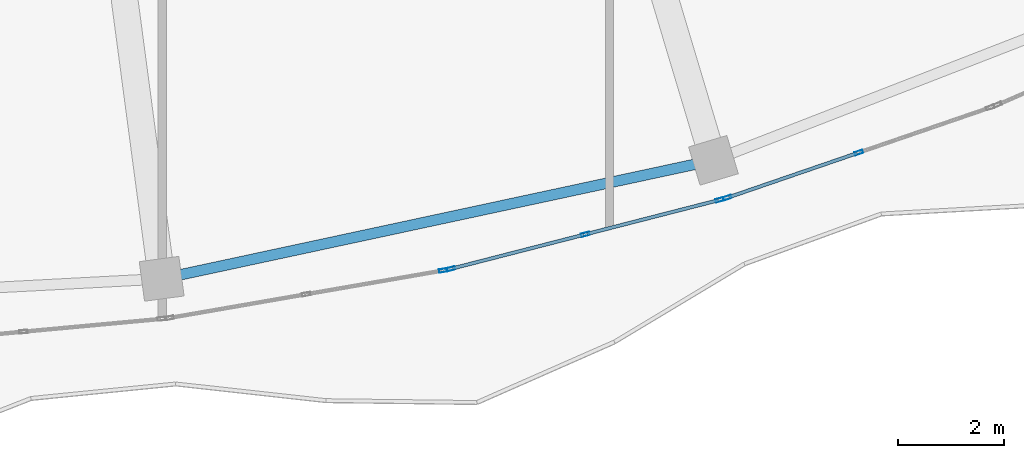
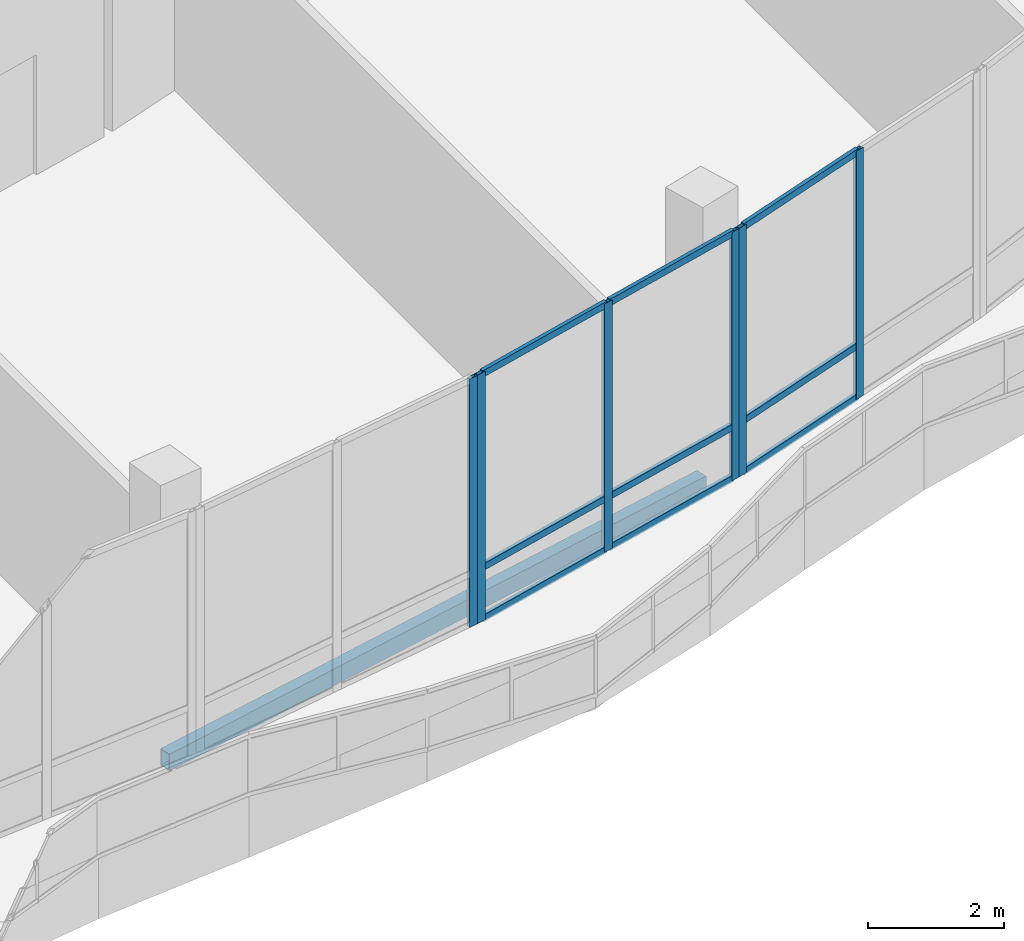
# One storey, part 45 of 168: 15 members, 1 beam, 3 elements without a shape of their own.
"""IFC4 building model written with IfcOpenShell, lengths in metres."""

from ifc_helpers import new_model, si_unit, direction, frame, origin, origin_2d, place, context, subcontext, project, spatial, hollow_rectangle, extrude, material, material_profile, profile_set, type_object, element, aggregate, save


model = new_model("IFC4")

# Units and contexts
model_context = context("Model", 3, precision=1e-05, world=origin(), true_north=direction((0.0, 1.0)))
body_context = subcontext(model_context, "Body", "Model", "MODEL_VIEW")
ifc_project = project(units=[si_unit("LENGTHUNIT", "METRE"), si_unit("AREAUNIT", "SQUARE_METRE"), si_unit("VOLUMEUNIT", "CUBIC_METRE"), si_unit("PLANEANGLEUNIT", "RADIAN"), si_unit("MASSUNIT", "GRAM", prefix="KILO")], contexts=[model_context])

# Site, building, storey
site_placement = place(None, origin())
site = spatial("IfcSite", under=ifc_project, at=site_placement, CompositionType="ELEMENT")
building_placement = place(site_placement, origin())
building = spatial("IfcBuilding", under=site, at=building_placement, Name="Selatvlak General Hospital", CompositionType="ELEMENT")
storey_placement = place(building_placement, frame((0.0, 0.0, 5.39990234375)))
storey = spatial("IfcBuildingStorey", under=building, at=storey_placement, Name="L01", CompositionType="ELEMENT", Elevation=5.39990234375)

# Beam
ifc_material_1 = material(Name="Steel S355", Category="steel")
ifc_material_profile_1 = material_profile(ifc_material_1, hollow_rectangle(XDim=0.199951171875, YDim=0.300048828125, WallThickness=0.011962890625, at=origin_2d()), Name="RHS 300x200x12")
ifc_profile_set_1 = profile_set([ifc_material_profile_1], Name="Steel S355")
beam_type = type_object("IfcBeamType", Name="BM-SP3", PredefinedType="SPANDREL", material=ifc_profile_set_1)
beam_placement = place(storey_placement, frame((64.7890625, 13.3310546875, -0.469970703125), z_axis=(0.977714375037, 0.209939517116, 0.0), x_axis=(-0.209939517116, 0.977714375037, 0.0)))
element("IfcBeam", 1, at=beam_placement, inside=storey, type_object=beam_type, Name="Beam BMR-L01-0754", PredefinedType="SPANDREL", context=body_context, shape_type="SweptSolid", body=[
    extrude(hollow_rectangle(XDim=0.199951171875, YDim=0.300048828125, WallThickness=0.011962890625, at=origin_2d()), origin(), (0.0, 0.0, 1.0), 10.602294921875),
])

# Curtain wall, members
ifc_material_2 = material(Name="Solar-control Low-E double glazing", Category="glass")
curtain_wall_type_1 = type_object("IfcCurtainWallType", Name="CW-CW-01", PredefinedType="USERDEFINED", material=ifc_material_2)
curtain_wall_1_placement = place(storey_placement, origin())
curtain_wall_1 = element("IfcCurtainWall", 2, at=curtain_wall_1_placement, inside=storey, type_object=curtain_wall_type_1, Name="Glazed facade curtain wall CW-L01-0171", ObjectType="UNITISED CURTAIN WALL", PredefinedType="USERDEFINED")
ifc_material_3 = material(Name="Dark anodised aluminium mullion", Category="aluminium")
ifc_material_profile_2 = material_profile(ifc_material_3, hollow_rectangle(XDim=0.06494140625, YDim=0.159912109375, WallThickness=0.00390625, at=origin_2d()), Name="AL-MUL 65x160x4")
ifc_profile_set_2 = profile_set([ifc_material_profile_2], Name="Dark anodised aluminium mullion")
member_type_1 = type_object("IfcMemberType", Name="CWM-01", PredefinedType="MULLION", material=ifc_profile_set_2)
member_1_placement = place(storey_placement, frame((77.886474609375, 15.702392578125, 0.0), z_axis=(0.0, 0.0, 1.0), x_axis=(0.324609481996, -0.945848129563, 0.0)))
member_1 = element("IfcMember", 3, at=member_1_placement, type_object=member_type_1, Name="CW-01 mullion 2", PredefinedType="MULLION", context=body_context, shape_type="SweptSolid", body=[
    extrude(hollow_rectangle(XDim=0.06494140625, YDim=0.159912109375, WallThickness=0.00390625, at=origin_2d()), origin(), (0.0, 0.0, 1.0), 4.445068359375),
])
member_2_placement = place(storey_placement, frame((75.415771484375, 14.8544921875, 0.0), z_axis=(0.0, 0.0, 1.0), x_axis=(0.324609481996, -0.945848129563, 0.0)))
member_2 = element("IfcMember", 4, at=member_2_placement, type_object=member_type_1, Name="CW-01 mullion 3", PredefinedType="MULLION", context=body_context, shape_type="SweptSolid", body=[
    extrude(hollow_rectangle(XDim=0.06494140625, YDim=0.159912109375, WallThickness=0.00390625, at=origin_2d()), origin(), (0.0, 0.0, 1.0), 4.445068359375),
])

curtain_wall_type_2 = type_object("IfcCurtainWallType", Name="CW-CW-02", PredefinedType="USERDEFINED", material=ifc_material_2)
curtain_wall_2_placement = place(storey_placement, origin())
curtain_wall_2 = element("IfcCurtainWall", 5, at=curtain_wall_2_placement, inside=storey, type_object=curtain_wall_type_2, Name="Glazed facade curtain wall CW-L01-0172", ObjectType="UNITISED CURTAIN WALL", PredefinedType="USERDEFINED")
member_3_placement = place(storey_placement, frame((75.276611328125, 14.81494140625, 0.0), z_axis=(0.0, 0.0, 1.0), x_axis=(0.248543854938, -0.968620644098, 0.0)))
member_3 = element("IfcMember", 6, at=member_3_placement, type_object=member_type_1, Name="CW-02 mullion 1", PredefinedType="MULLION", context=body_context, shape_type="SweptSolid", body=[
    extrude(hollow_rectangle(XDim=0.06494140625, YDim=0.159912109375, WallThickness=0.00390625, at=origin_2d()), origin(), (0.0, 0.0, 1.0), 4.445068359375),
])
member_4_placement = place(storey_placement, frame((72.74951171875, 14.16650390625, 0.0), z_axis=(0.0, 0.0, 1.0), x_axis=(0.248543854938, -0.968620644098, 0.0)))
member_4 = element("IfcMember", 7, at=member_4_placement, type_object=member_type_1, Name="CW-02 mullion 2", PredefinedType="MULLION", context=body_context, shape_type="SweptSolid", body=[
    extrude(hollow_rectangle(XDim=0.06494140625, YDim=0.159912109375, WallThickness=0.00390625, at=origin_2d()), origin(), (0.0, 0.0, 1.0), 4.445068359375),
])
member_5_placement = place(storey_placement, frame((70.222412109375, 13.51806640625, 0.0), z_axis=(0.0, 0.0, 1.0), x_axis=(0.248543854938, -0.968620644098, 0.0)))
member_5 = element("IfcMember", 8, at=member_5_placement, type_object=member_type_1, Name="CW-02 mullion 3", PredefinedType="MULLION", context=body_context, shape_type="SweptSolid", body=[
    extrude(hollow_rectangle(XDim=0.06494140625, YDim=0.159912109375, WallThickness=0.00390625, at=origin_2d()), origin(), (0.0, 0.0, 1.0), 4.445068359375),
])

# Curtain wall, member
curtain_wall_3_placement = place(storey_placement, origin())
curtain_wall_3 = element("IfcCurtainWall", 9, at=curtain_wall_3_placement, inside=storey, type_object=curtain_wall_type_1, Name="Glazed facade curtain wall CW-L01-0173", ObjectType="UNITISED CURTAIN WALL", PredefinedType="USERDEFINED")
member_6_placement = place(storey_placement, frame((70.080078125, 13.488525390625, 0.0), z_axis=(0.0, 0.0, 1.0), x_axis=(0.170838151242, -0.985299104881, 0.0)))
member_6 = element("IfcMember", 10, at=member_6_placement, type_object=member_type_1, Name="CW-01 mullion 1", PredefinedType="MULLION", context=body_context, shape_type="SweptSolid", body=[
    extrude(hollow_rectangle(XDim=0.06494140625, YDim=0.159912109375, WallThickness=0.00390625, at=origin_2d()), origin(), (0.0, 0.0, 1.0), 4.445068359375),
])
aggregate(curtain_wall_3, [member_6])

# Member
ifc_material_profile_3 = material_profile(ifc_material_3, hollow_rectangle(XDim=0.06494140625, YDim=0.1201171875, WallThickness=0.00390625, at=origin_2d()), Name="AL-TRN 65x120x4")
ifc_profile_set_3 = profile_set([ifc_material_profile_3], Name="Dark anodised aluminium mullion")
member_type_2 = type_object("IfcMemberType", Name="CWT-01", PredefinedType="USERDEFINED", material=ifc_profile_set_3)
member_7_placement = place(storey_placement, frame((77.855712890625, 15.69189453125, 0.03271484375), z_axis=(-0.945837511691, -0.324640418737, 0.0), x_axis=(0.324640418737, -0.945837511691, 0.0)))
member_7 = element("IfcMember", 11, at=member_7_placement, type_object=member_type_2, Name="CW-01 transom 2.1", ObjectType="TRANSOM", PredefinedType="USERDEFINED", context=body_context, shape_type="SweptSolid", body=[
    extrude(hollow_rectangle(XDim=0.06494140625, YDim=0.1201171875, WallThickness=0.00390625, at=origin_2d()), origin(), (0.0, 0.0, 1.0), 2.547119140625),
])

member_8_placement = place(storey_placement, frame((77.855712890625, 15.69189453125, 0.9501953125), z_axis=(-0.945837511691, -0.324640418737, 0.0), x_axis=(0.324640418737, -0.945837511691, 0.0)))
member_8 = element("IfcMember", 12, at=member_8_placement, type_object=member_type_2, Name="CW-01 transom 2.2", ObjectType="TRANSOM", PredefinedType="USERDEFINED", context=body_context, shape_type="SweptSolid", body=[
    extrude(hollow_rectangle(XDim=0.06494140625, YDim=0.1201171875, WallThickness=0.00390625, at=origin_2d()), origin(), (0.0, 0.0, 1.0), 2.547119140625),
])

member_9_placement = place(storey_placement, frame((77.855712890625, 15.69189453125, 4.41259765625), z_axis=(-0.945837511691, -0.324640418737, 0.0), x_axis=(0.324640418737, -0.945837511691, 0.0)))
member_9 = element("IfcMember", 13, at=member_9_placement, type_object=member_type_2, Name="CW-01 transom 2.3", ObjectType="TRANSOM", PredefinedType="USERDEFINED", context=body_context, shape_type="SweptSolid", body=[
    extrude(hollow_rectangle(XDim=0.06494140625, YDim=0.1201171875, WallThickness=0.00390625, at=origin_2d()), origin(), (0.0, 0.0, 1.0), 2.547119140625),
])

aggregate(curtain_wall_1, [member_1, member_2, member_7, member_8, member_9])

member_10_placement = place(storey_placement, frame((75.2451171875, 14.806884765625, 0.03271484375), z_axis=(-0.968616485503, -0.248560061176, 0.0), x_axis=(0.248560061176, -0.968616485503, 0.0)))
member_10 = element("IfcMember", 14, at=member_10_placement, type_object=member_type_2, Name="CW-02 transom 1.1", ObjectType="TRANSOM", PredefinedType="USERDEFINED", context=body_context, shape_type="SweptSolid", body=[
    extrude(hollow_rectangle(XDim=0.06494140625, YDim=0.1201171875, WallThickness=0.00390625, at=origin_2d()), origin(), (0.0, 0.0, 1.0), 2.5439453125),
])

member_11_placement = place(storey_placement, frame((75.2451171875, 14.806884765625, 0.9501953125), z_axis=(-0.968616485503, -0.248560061176, 0.0), x_axis=(0.248560061176, -0.968616485503, 0.0)))
member_11 = element("IfcMember", 15, at=member_11_placement, type_object=member_type_2, Name="CW-02 transom 1.2", ObjectType="TRANSOM", PredefinedType="USERDEFINED", context=body_context, shape_type="SweptSolid", body=[
    extrude(hollow_rectangle(XDim=0.06494140625, YDim=0.1201171875, WallThickness=0.00390625, at=origin_2d()), origin(), (0.0, 0.0, 1.0), 2.5439453125),
])

member_12_placement = place(storey_placement, frame((75.2451171875, 14.806884765625, 4.41259765625), z_axis=(-0.968616485503, -0.248560061176, 0.0), x_axis=(0.248560061176, -0.968616485503, 0.0)))
member_12 = element("IfcMember", 16, at=member_12_placement, type_object=member_type_2, Name="CW-02 transom 1.3", ObjectType="TRANSOM", PredefinedType="USERDEFINED", context=body_context, shape_type="SweptSolid", body=[
    extrude(hollow_rectangle(XDim=0.06494140625, YDim=0.1201171875, WallThickness=0.00390625, at=origin_2d()), origin(), (0.0, 0.0, 1.0), 2.5439453125),
])

member_13_placement = place(storey_placement, frame((72.718017578125, 14.158447265625, 0.03271484375), z_axis=(-0.968616485503, -0.248560061176, 0.0), x_axis=(0.248560061176, -0.968616485503, 0.0)))
member_13 = element("IfcMember", 17, at=member_13_placement, type_object=member_type_2, Name="CW-02 transom 2.1", ObjectType="TRANSOM", PredefinedType="USERDEFINED", context=body_context, shape_type="SweptSolid", body=[
    extrude(hollow_rectangle(XDim=0.06494140625, YDim=0.1201171875, WallThickness=0.00390625, at=origin_2d()), origin(), (0.0, 0.0, 1.0), 2.5439453125),
])

member_14_placement = place(storey_placement, frame((72.718017578125, 14.158447265625, 0.9501953125), z_axis=(-0.968616485503, -0.248560061176, 0.0), x_axis=(0.248560061176, -0.968616485503, 0.0)))
member_14 = element("IfcMember", 18, at=member_14_placement, type_object=member_type_2, Name="CW-02 transom 2.2", ObjectType="TRANSOM", PredefinedType="USERDEFINED", context=body_context, shape_type="SweptSolid", body=[
    extrude(hollow_rectangle(XDim=0.06494140625, YDim=0.1201171875, WallThickness=0.00390625, at=origin_2d()), origin(), (0.0, 0.0, 1.0), 2.5439453125),
])

member_15_placement = place(storey_placement, frame((72.718017578125, 14.158447265625, 4.41259765625), z_axis=(-0.968616485503, -0.248560061176, 0.0), x_axis=(0.248560061176, -0.968616485503, 0.0)))
member_15 = element("IfcMember", 19, at=member_15_placement, type_object=member_type_2, Name="CW-02 transom 2.3", ObjectType="TRANSOM", PredefinedType="USERDEFINED", context=body_context, shape_type="SweptSolid", body=[
    extrude(hollow_rectangle(XDim=0.06494140625, YDim=0.1201171875, WallThickness=0.00390625, at=origin_2d()), origin(), (0.0, 0.0, 1.0), 2.5439453125),
])

aggregate(curtain_wall_2, [member_3, member_4, member_5, member_10, member_11, member_12, member_13, member_14, member_15])

save(model, "model.ifc")
